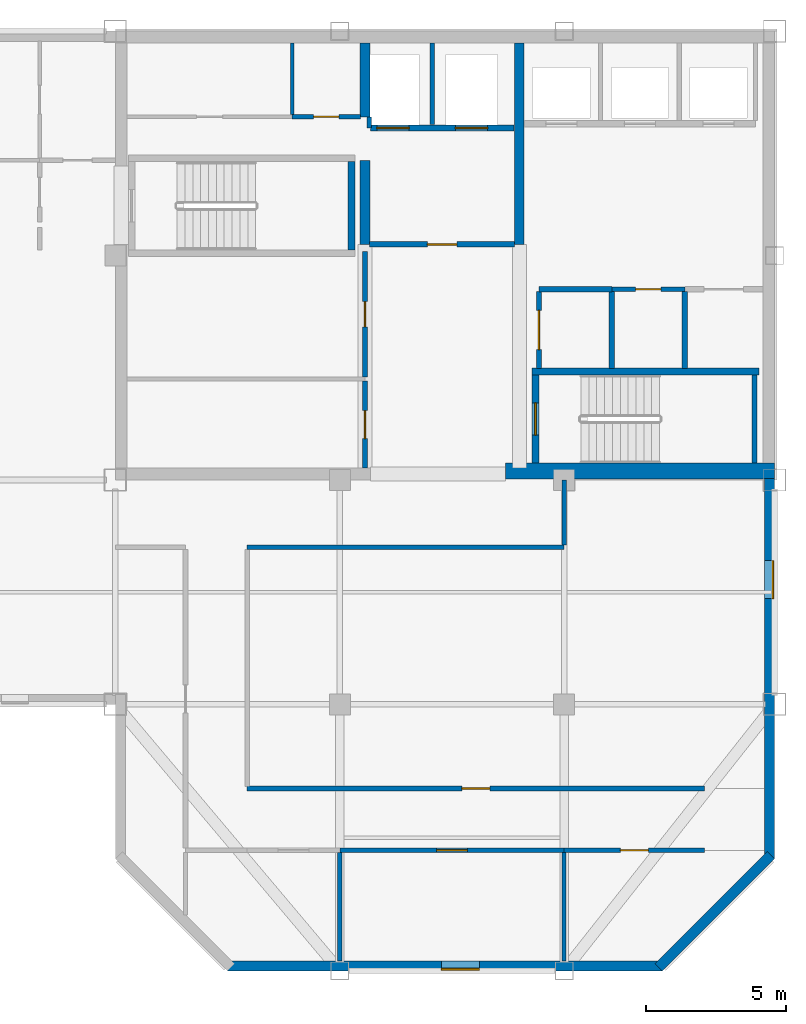
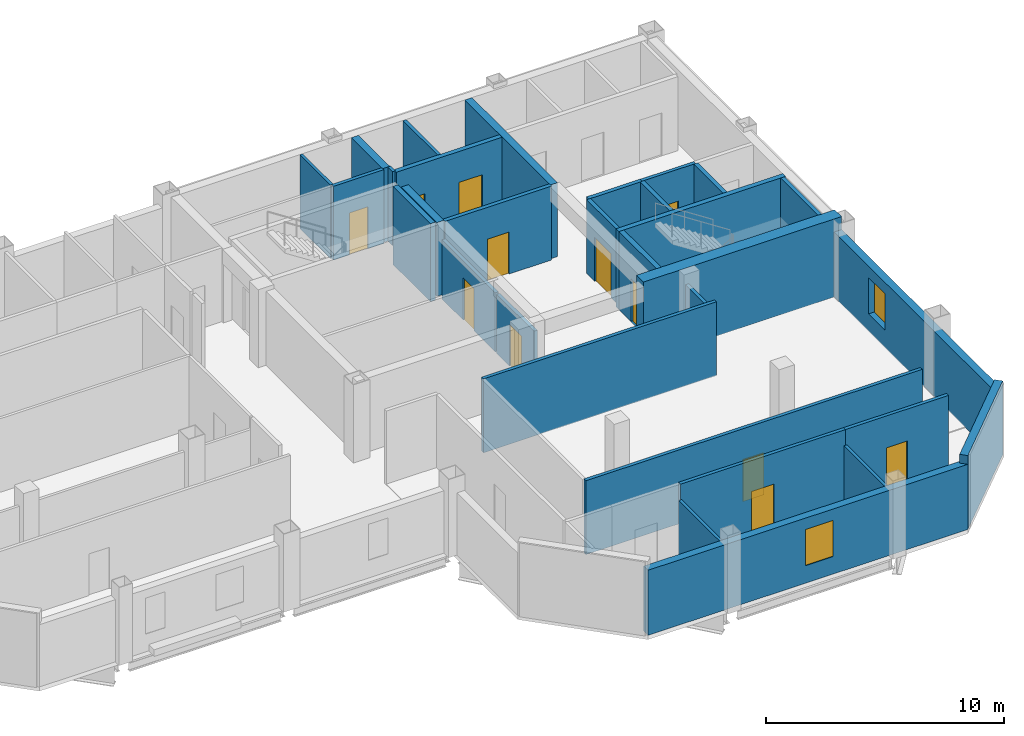
# One storey, part 3 of 7: 31 walls, 12 doors, 2 windows, 14 openings.
"""IFC4 building model written with IfcOpenShell, lengths in metres."""

from ifc_helpers import new_model, si_unit, direction, frame, frame_2d, origin, place, context, subcontext, project, spatial, rectangle, extrude, material, layer, layer_set, type_object, element, fill, save


model = new_model("IFC4")

# Units and contexts
model_context = context("Model", 3, precision=1e-05, world=origin(), true_north=direction((0.0, 1.0)))
body_context = subcontext(model_context, "Body", "Model", "MODEL_VIEW")
ifc_project = project(units=[si_unit("LENGTHUNIT", "METRE"), si_unit("AREAUNIT", "SQUARE_METRE"), si_unit("VOLUMEUNIT", "CUBIC_METRE"), si_unit("PLANEANGLEUNIT", "RADIAN"), si_unit("MASSUNIT", "GRAM", prefix="KILO")], contexts=[model_context])

# Site, building, storey
site_placement = place(None, origin())
site = spatial("IfcSite", under=ifc_project, at=site_placement, CompositionType="ELEMENT")
building_placement = place(site_placement, origin())
building = spatial("IfcBuilding", under=site, at=building_placement, Name="Qianrong Seaharbour Tower", CompositionType="ELEMENT")
storey_placement = place(building_placement, frame((0.0, 0.0, 307.199951171875)))
storey = spatial("IfcBuildingStorey", under=building, at=storey_placement, Name="L74", CompositionType="ELEMENT", Elevation=307.199951171875)

# Walls
ifc_material_1 = material(Name="Concrete C70/85", Category="concrete")
ifc_layer_1 = layer(ifc_material_1, 0.580078125)
ifc_layer_set_1 = layer_set([ifc_layer_1], Name="Concrete C70/85")
wall_type_1 = type_object("IfcWallType", Name="WALL-CORE-580", PredefinedType="SHEAR", material=ifc_layer_set_1)
wall_1_placement = place(storey_placement, frame((54.39990234375, 36.320068359375, 0.0), z_axis=(0.0, 0.0, 1.0), x_axis=(1.0, 0.0, 0.0)))
element("IfcWall", 1, at=wall_1_placement, inside=storey, type_object=wall_type_1, Name="L74 South Core Shear Wall S3", PredefinedType="SHEAR", context=body_context, shape_type="SweptSolid", body=[
    extrude(rectangle(XDim=9.60009765625, YDim=0.580078125, at=frame_2d((4.800048828125, 0.0))), origin(), (0.0, 0.0, 1.0), 4.0),
])
ifc_material_2 = material(Name="Concrete C50/60", Category="concrete")
ifc_layer_2 = layer(ifc_material_2, 0.35009765625)
ifc_layer_set_2 = layer_set([ifc_layer_2], Name="Concrete C50/60")
wall_type_2 = type_object("IfcWallType", Name="WALL-CORE-INT-350", PredefinedType="SHEAR", material=ifc_layer_set_2)
wall_2_placement = place(storey_placement, frame((49.39990234375, 44.39990234375, 0.0), z_axis=(0.0, 0.0, 1.0), x_axis=(0.0, 1.0, 0.0)))
element("IfcWall", 2, at=wall_2_placement, inside=storey, type_object=wall_type_2, Name="L74 Internal Core Shear Wall IW1N1", PredefinedType="SHEAR", context=body_context, shape_type="SweptSolid", body=[
    extrude(rectangle(XDim=3.0, YDim=0.35009765625, at=frame_2d((1.5, 0.0))), origin(), (0.0, 0.0, 1.0), 3.78515625),
])
wall_3_placement = place(storey_placement, frame((49.39990234375, 48.949951171875, 0.0), z_axis=(0.0, 0.0, 1.0), x_axis=(0.0, 1.0, 0.0)))
element("IfcWall", 3, at=wall_3_placement, inside=storey, type_object=wall_type_2, Name="L74 Internal Core Shear Wall IW1N2", PredefinedType="SHEAR", context=body_context, shape_type="SweptSolid", body=[
    extrude(rectangle(XDim=2.630126953125, YDim=0.35009765625, at=frame_2d((1.31494140625, 0.0))), origin(), (0.0, 0.0, 1.0), 3.78515625),
])
wall_4_placement = place(storey_placement, frame((54.89990234375, 44.39990234375, 0.0), z_axis=(0.0, 0.0, 1.0), x_axis=(0.0, 1.0, 0.0)))
element("IfcWall", 4, at=wall_4_placement, inside=storey, type_object=wall_type_2, Name="L74 Internal Core Shear Wall IW2N", PredefinedType="SHEAR", context=body_context, shape_type="SweptSolid", body=[
    extrude(rectangle(XDim=7.18017578125, YDim=0.35009765625, at=frame_2d((3.590087890625, 0.0))), origin(), (0.0, 0.0, 1.0), 3.78515625),
])

# Wall, opening, door
ifc_material_3 = material(Name="Fire-rated acoustic gypsum board partition")
ifc_layer_3 = layer(ifc_material_3, 0.1650390625)
ifc_layer_set_3 = layer_set([ifc_layer_3], Name="Fire-rated acoustic gypsum board partition")
wall_type_3 = type_object("IfcWallType", Name="WALL-CORR-PART-165", PredefinedType="PARTITIONING", material=ifc_layer_set_3)
wall_5_placement = place(storey_placement, frame((46.800048828125, 48.949951171875, 0.0), z_axis=(0.0, 0.0, 1.0), x_axis=(1.0, 0.0, 0.0)))
wall_5 = element("IfcWall", 5, at=wall_5_placement, inside=storey, type_object=wall_type_3, Name="L74 Interior Partition Wall 008", PredefinedType="PARTITIONING", context=body_context, shape_type="SweptSolid", body=[
    extrude(rectangle(XDim=2.432861328125, YDim=0.1650390625, at=frame_2d((1.21630859375, 0.0))), origin(), (0.0, 0.0, 1.0), 3.78515625),
])
opening_1_placement = place(wall_5_placement, frame((0.7666015625, 0.0, 0.0)))
opening_1 = element("IfcOpeningElement", 6, at=opening_1_placement, cuts=wall_5, Name="Opening DS-01", PredefinedType="OPENING", context=body_context, shape_type="SweptSolid", body=[
    extrude(rectangle(XDim=0.89990234375, YDim=2.14990234375, at=frame_2d((0.449951171875, 1.074951171875))), frame((0.0, 0.092529296875, 0.0), z_axis=(0.0, -1.0, 0.0), x_axis=(1.0, 0.0, 0.0)), (0.0, 0.0, 1.0), 0.18505859375),
])
ifc_material_4 = material(Name="Acoustic timber and galvanized steel fire door assembly", Category="steel")
door_type_1 = type_object("IfcDoorType", Name="DOOR-STORE-900x2150", OperationType="NOTDEFINED", PredefinedType="DOOR", material=ifc_material_4)
door_1_placement = place(opening_1_placement, origin())
door_1 = element("IfcDoor", 7, at=door_1_placement, inside=storey, type_object=door_type_1, Name="L74 Janitor Store Room Door", OperationType="SINGLE_SWING_LEFT", OverallHeight=2.14990234375, OverallWidth=0.89990234375, PredefinedType="DOOR", context=body_context, shape_type="SweptSolid", body=[
    extrude(rectangle(XDim=0.89990234375, YDim=2.14990234375, at=frame_2d((0.449951171875, 1.074951171875))), frame((0.0, 0.02490234375, 0.0), z_axis=(0.0, -1.0, 0.0), x_axis=(1.0, 0.0, 0.0)), (0.0, 0.0, 1.0), 0.050048828125),
])
fill(opening_1, door_1)

wall_6_placement = place(storey_placement, frame((49.39990234375, 36.419921875, 0.0), z_axis=(0.0, 0.0, 1.0), x_axis=(0.0, 1.0, 0.0)))
wall_6 = element("IfcWall", 8, at=wall_6_placement, inside=storey, type_object=wall_type_3, Name="L74 Interior Partition Wall 010", PredefinedType="PARTITIONING", context=body_context, shape_type="SweptSolid", body=[
    extrude(rectangle(XDim=3.115478515625, YDim=0.1650390625, at=frame_2d((1.5576171875, 0.0))), origin(), (0.0, 0.0, 1.0), 3.027099609375),
])
opening_2_placement = place(wall_6_placement, frame((1.0576171875, 0.0, 0.0)))
opening_2 = element("IfcOpeningElement", 9, at=opening_2_placement, cuts=wall_6, Name="Opening DO-01", PredefinedType="OPENING", context=body_context, shape_type="SweptSolid", body=[
    extrude(rectangle(XDim=1.0, YDim=2.14990234375, at=frame_2d((0.5, 1.074951171875))), frame((0.0, 0.092529296875, 0.0), z_axis=(0.0, -1.0, 0.0), x_axis=(1.0, 0.0, 0.0)), (0.0, 0.0, 1.0), 0.18505859375),
])
door_type_2 = type_object("IfcDoorType", Name="DOOR-OFFICE-1000x2150", OperationType="NOTDEFINED", PredefinedType="DOOR", material=ifc_material_4)
door_2_placement = place(opening_2_placement, origin())
door_2 = element("IfcDoor", 10, at=door_2_placement, inside=storey, type_object=door_type_2, Name="L74 Wellness Room Door", OperationType="SINGLE_SWING_RIGHT", OverallHeight=2.14990234375, OverallWidth=1.0, PredefinedType="DOOR", context=body_context, shape_type="SweptSolid", body=[
    extrude(rectangle(XDim=1.0, YDim=2.14990234375, at=frame_2d((0.5, 1.074951171875))), frame((0.0, 0.02490234375, 0.0), z_axis=(0.0, -1.0, 0.0), x_axis=(1.0, 0.0, 0.0)), (0.0, 0.0, 1.0), 0.050048828125),
])
fill(opening_2, door_2)

wall_7_placement = place(storey_placement, frame((49.39990234375, 39.66455078125, 0.0), z_axis=(0.0, 0.0, 1.0), x_axis=(0.0, 1.0, 0.0)))
wall_7 = element("IfcWall", 11, at=wall_7_placement, inside=storey, type_object=wall_type_3, Name="L74 Interior Partition Wall 011", PredefinedType="PARTITIONING", context=body_context, shape_type="SweptSolid", body=[
    extrude(rectangle(XDim=4.4853515625, YDim=0.1650390625, at=frame_2d((2.24267578125, 0.0))), origin(), (0.0, 0.0, 1.0), 3.027099609375),
])
opening_3_placement = place(wall_7_placement, frame((1.792724609375, 0.0, 0.0)))
opening_3 = element("IfcOpeningElement", 12, at=opening_3_placement, cuts=wall_7, Name="Opening DS-01", PredefinedType="OPENING", context=body_context, shape_type="SweptSolid", body=[
    extrude(rectangle(XDim=0.89990234375, YDim=2.14990234375, at=frame_2d((0.449951171875, 1.074951171875))), frame((0.0, 0.092529296875, 0.0), z_axis=(0.0, -1.0, 0.0), x_axis=(1.0, 0.0, 0.0)), (0.0, 0.0, 1.0), 0.18505859375),
])
door_3_placement = place(opening_3_placement, origin())
door_3 = element("IfcDoor", 13, at=door_3_placement, inside=storey, type_object=door_type_1, Name="L74 Equipment Store Room Door", OperationType="SINGLE_SWING_LEFT", OverallHeight=2.14990234375, OverallWidth=0.89990234375, PredefinedType="DOOR", context=body_context, shape_type="SweptSolid", body=[
    extrude(rectangle(XDim=0.89990234375, YDim=2.14990234375, at=frame_2d((0.449951171875, 1.074951171875))), frame((0.0, 0.02490234375, 0.0), z_axis=(0.0, -1.0, 0.0), x_axis=(1.0, 0.0, 0.0)), (0.0, 0.0, 1.0), 0.050048828125),
])
fill(opening_3, door_3)

wall_8_placement = place(storey_placement, frame((60.800048828125, 42.800048828125, 0.0), z_axis=(0.0, 0.0, 1.0), x_axis=(-1.0, 0.0, 0.0)))
wall_8 = element("IfcWall", 14, at=wall_8_placement, inside=storey, type_object=wall_type_3, Name="L74 Interior Partition Wall 015", PredefinedType="PARTITIONING", context=body_context, shape_type="SweptSolid", body=[
    extrude(rectangle(XDim=2.60009765625, YDim=0.1650390625, at=frame_2d((1.300048828125, 0.0))), origin(), (0.0, 0.0, 1.0), 3.78515625),
])
opening_4_placement = place(wall_8_placement, frame((0.85009765625, 0.0, 0.0)))
opening_4 = element("IfcOpeningElement", 15, at=opening_4_placement, cuts=wall_8, Name="Opening DS-01", PredefinedType="OPENING", context=body_context, shape_type="SweptSolid", body=[
    extrude(rectangle(XDim=0.89990234375, YDim=2.14990234375, at=frame_2d((0.449951171875, 1.074951171875))), frame((0.0, 0.092529296875, 0.0), z_axis=(0.0, -1.0, 0.0), x_axis=(1.0, 0.0, 0.0)), (0.0, 0.0, 1.0), 0.18505859375),
])
door_4_placement = place(opening_4_placement, origin())
door_4 = element("IfcDoor", 16, at=door_4_placement, inside=storey, type_object=door_type_1, Name="L74 Supply Store Room Door", OperationType="SINGLE_SWING_RIGHT", OverallHeight=2.14990234375, OverallWidth=0.89990234375, PredefinedType="DOOR", context=body_context, shape_type="SweptSolid", body=[
    extrude(rectangle(XDim=0.89990234375, YDim=2.14990234375, at=frame_2d((0.449951171875, 1.074951171875))), frame((0.0, 0.02490234375, 0.0), z_axis=(0.0, -1.0, 0.0), x_axis=(1.0, 0.0, 0.0)), (0.0, 0.0, 1.0), 0.050048828125),
])
fill(opening_4, door_4)

# Walls
wall_9_placement = place(storey_placement, frame((56.5, 36.0, 0.0), z_axis=(0.0, 0.0, 1.0), x_axis=(0.0, -1.0, 0.0)))
element("IfcWall", 17, at=wall_9_placement, inside=storey, type_object=wall_type_3, Name="L74 Interior Partition Wall 028", PredefinedType="PARTITIONING", context=body_context, shape_type="SweptSolid", body=[
    extrude(rectangle(XDim=2.325439453125, YDim=0.1650390625, at=frame_2d((1.16259765625, 0.0))), origin(), (0.0, 0.0, 1.0), 3.177001953125),
])
wall_10_placement = place(storey_placement, frame((56.5, 33.60009765625, 0.0), z_axis=(0.0, 0.0, 1.0), x_axis=(-1.0, 0.0, 0.0)))
element("IfcWall", 18, at=wall_10_placement, inside=storey, type_object=wall_type_3, Name="L74 Interior Partition Wall 029", PredefinedType="PARTITIONING", context=body_context, shape_type="SweptSolid", body=[
    extrude(rectangle(XDim=11.300048828125, YDim=0.1650390625, at=frame_2d((5.64990234375, 0.0))), origin(), (0.0, 0.0, 1.0), 3.78515625),
])

# Wall, opening, door
wall_11_placement = place(storey_placement, frame((45.199951171875, 25.0, 0.0), z_axis=(0.0, 0.0, 1.0), x_axis=(1.0, 0.0, 0.0)))
wall_11 = element("IfcWall", 19, at=wall_11_placement, inside=storey, type_object=wall_type_3, Name="L74 Interior Partition Wall 034", PredefinedType="PARTITIONING", context=body_context, shape_type="SweptSolid", body=[
    extrude(rectangle(XDim=16.300048828125, YDim=0.1650390625, at=frame_2d((8.14990234375, 0.0))), origin(), (0.0, 0.0, 1.0), 3.78515625),
])
opening_5_placement = place(wall_11_placement, frame((7.64990234375, 0.0, 0.0)))
opening_5 = element("IfcOpeningElement", 20, at=opening_5_placement, cuts=wall_11, Name="Opening DO-01", PredefinedType="OPENING", context=body_context, shape_type="SweptSolid", body=[
    extrude(rectangle(XDim=1.0, YDim=2.14990234375, at=frame_2d((0.5, 1.074951171875))), frame((0.0, 0.092529296875, 0.0), z_axis=(0.0, -1.0, 0.0), x_axis=(1.0, 0.0, 0.0)), (0.0, 0.0, 1.0), 0.18505859375),
])
door_5_placement = place(opening_5_placement, origin())
door_5 = element("IfcDoor", 21, at=door_5_placement, inside=storey, type_object=door_type_2, Name="L74 South Wing Open-Plan Office Door", OperationType="SINGLE_SWING_LEFT", OverallHeight=2.14990234375, OverallWidth=1.0, PredefinedType="DOOR", context=body_context, shape_type="SweptSolid", body=[
    extrude(rectangle(XDim=1.0, YDim=2.14990234375, at=frame_2d((0.5, 1.074951171875))), frame((0.0, 0.02490234375, 0.0), z_axis=(0.0, -1.0, 0.0), x_axis=(1.0, 0.0, 0.0)), (0.0, 0.0, 1.0), 0.050048828125),
])
fill(opening_5, door_5)

wall_12_placement = place(storey_placement, frame((56.5, 22.800048828125, 0.0), z_axis=(0.0, 0.0, 1.0), x_axis=(-1.0, 0.0, 0.0)))
wall_12 = element("IfcWall", 22, at=wall_12_placement, inside=storey, type_object=wall_type_3, Name="L74 Interior Partition Wall 036", PredefinedType="PARTITIONING", context=body_context, shape_type="SweptSolid", body=[
    extrude(rectangle(XDim=8.0, YDim=0.1650390625, at=frame_2d((4.0, 0.0))), origin(), (0.0, 0.0, 1.0), 3.78515625),
])
opening_6_placement = place(wall_12_placement, frame((3.449951171875, 0.0, 0.0)))
opening_6 = element("IfcOpeningElement", 23, at=opening_6_placement, cuts=wall_12, Name="Opening DM-01", PredefinedType="OPENING", context=body_context, shape_type="SweptSolid", body=[
    extrude(rectangle(XDim=1.10009765625, YDim=2.199951171875, at=frame_2d((0.550048828125, 1.10009765625))), frame((0.0, 0.092529296875, 0.0), z_axis=(0.0, -1.0, 0.0), x_axis=(1.0, 0.0, 0.0)), (0.0, 0.0, 1.0), 0.18505859375),
])
door_type_3 = type_object("IfcDoorType", Name="DOOR-MEET-1100x2200", OperationType="NOTDEFINED", PredefinedType="DOOR", material=ifc_material_4)
door_6_placement = place(opening_6_placement, origin())
door_6 = element("IfcDoor", 24, at=door_6_placement, inside=storey, type_object=door_type_3, Name="L74 Meeting Room 2 Door", OperationType="SINGLE_SWING_LEFT", OverallHeight=2.199951171875, OverallWidth=1.10009765625, PredefinedType="DOOR", context=body_context, shape_type="SweptSolid", body=[
    extrude(rectangle(XDim=1.10009765625, YDim=2.199951171875, at=frame_2d((0.550048828125, 1.10009765625))), frame((0.0, 0.02490234375, 0.0), z_axis=(0.0, -1.0, 0.0), x_axis=(1.0, 0.0, 0.0)), (0.0, 0.0, 1.0), 0.050048828125),
])
fill(opening_6, door_6)

wall_13_placement = place(storey_placement, frame((61.5, 22.800048828125, 0.0), z_axis=(0.0, 0.0, 1.0), x_axis=(-1.0, 0.0, 0.0)))
wall_13 = element("IfcWall", 25, at=wall_13_placement, inside=storey, type_object=wall_type_3, Name="L74 Interior Partition Wall 037", PredefinedType="PARTITIONING", context=body_context, shape_type="SweptSolid", body=[
    extrude(rectangle(XDim=5.0, YDim=0.1650390625, at=frame_2d((2.5, 0.0))), origin(), (0.0, 0.0, 1.0), 3.78515625),
])
opening_7_placement = place(wall_13_placement, frame((2.0, 0.0, 0.0)))
opening_7 = element("IfcOpeningElement", 26, at=opening_7_placement, cuts=wall_13, Name="Opening DO-01", PredefinedType="OPENING", context=body_context, shape_type="SweptSolid", body=[
    extrude(rectangle(XDim=1.0, YDim=2.14990234375, at=frame_2d((0.5, 1.074951171875))), frame((0.0, 0.092529296875, 0.0), z_axis=(0.0, -1.0, 0.0), x_axis=(1.0, 0.0, 0.0)), (0.0, 0.0, 1.0), 0.18505859375),
])
door_7_placement = place(opening_7_placement, origin())
door_7 = element("IfcDoor", 27, at=door_7_placement, inside=storey, type_object=door_type_2, Name="L74 Standards Library 3 Door", OperationType="SINGLE_SWING_RIGHT", OverallHeight=2.14990234375, OverallWidth=1.0, PredefinedType="DOOR", context=body_context, shape_type="SweptSolid", body=[
    extrude(rectangle(XDim=1.0, YDim=2.14990234375, at=frame_2d((0.5, 1.074951171875))), frame((0.0, 0.02490234375, 0.0), z_axis=(0.0, -1.0, 0.0), x_axis=(1.0, 0.0, 0.0)), (0.0, 0.0, 1.0), 0.050048828125),
])
fill(opening_7, door_7)

# Wall, opening, window
ifc_material_5 = material(Name="Unitised red brick on Precast concrete C45/55", Category="masonry")
ifc_layer_4 = layer(ifc_material_5, 0.360107421875)
ifc_layer_set_4 = layer_set([ifc_layer_4], Name="Unitised red brick on Precast concrete C45/55")
wall_type_4 = type_object("IfcWallType", Name="WALL-EXT-BRICK-RED-360", PredefinedType="SOLIDWALL", material=ifc_layer_set_4)
wall_14_placement = place(storey_placement, frame((63.820068359375, 36.050048828125, 0.0), z_axis=(0.0, 0.0, 1.0), x_axis=(0.0, -1.0, 0.0)))
wall_14 = element("IfcWall", 28, at=wall_14_placement, inside=storey, type_object=wall_type_4, Name="L74 Exterior Masonry Facade Wall EAST_WING", PredefinedType="SOLIDWALL", context=body_context, shape_type="SweptSolid", body=[
    extrude(rectangle(XDim=13.550048828125, YDim=0.360107421875, at=frame_2d((6.77490234375, 0.0))), origin(), (0.0, 0.0, 1.0), 3.3349609375),
])
opening_8_placement = place(wall_14_placement, frame((2.925048828125, 0.0, 0.89990234375)))
opening_8 = element("IfcOpeningElement", 29, at=opening_8_placement, cuts=wall_14, Name="Opening WN-02", PredefinedType="OPENING", context=body_context, shape_type="SweptSolid", body=[
    extrude(rectangle(XDim=1.35009765625, YDim=1.85009765625, at=frame_2d((0.675048828125, 0.925048828125))), frame((0.0, 0.18994140625, 0.0), z_axis=(0.0, -1.0, 0.0), x_axis=(1.0, 0.0, 0.0)), (0.0, 0.0, 1.0), 0.380126953125),
])
ifc_material_6 = material(Name="Insulated low-e double glazing in thermally broken aluminium 6063-T6 frame", Category="aluminium")
window_type = type_object("IfcWindowType", Name="WIN-PUNCH-1350x1850", PartitioningType="DOUBLE_PANEL_VERTICAL", PredefinedType="WINDOW", material=ifc_material_6)
window_1_placement = place(opening_8_placement, origin())
window_1 = element("IfcWindow", 30, at=window_1_placement, inside=storey, type_object=window_type, Name="L74 Deep-Set Punched Window 06.01", OverallHeight=1.85009765625, OverallWidth=1.35009765625, PartitioningType="DOUBLE_PANEL_VERTICAL", PredefinedType="WINDOW", context=body_context, shape_type="SweptSolid", body=[
    extrude(rectangle(XDim=1.35009765625, YDim=1.85009765625, at=frame_2d((0.675048828125, 0.925048828125))), frame((0.0, 0.150146484375, 0.0), z_axis=(0.0, -1.0, 0.0), x_axis=(1.0, 0.0, 0.0)), (0.0, 0.0, 1.0), 0.06005859375),
])
fill(opening_8, window_1)

# Wall
wall_15_placement = place(storey_placement, frame((63.872802734375, 22.627197265625, 0.0), z_axis=(0.0, 0.0, 1.0), x_axis=(-0.707106781187, -0.707106781187, 0.0)))
element("IfcWall", 31, at=wall_15_placement, inside=storey, type_object=wall_type_4, Name="L74 Exterior Masonry Facade Wall E07", PredefinedType="SOLIDWALL", context=body_context, shape_type="SweptSolid", body=[
    extrude(rectangle(XDim=5.65673828125, YDim=0.360107421875, at=frame_2d((2.828369140625, 0.0))), origin(), (0.0, 0.0, 1.0), 3.78515625),
])

# Wall, opening, window
wall_16_placement = place(storey_placement, frame((60.0, 18.679931640625, 0.0), z_axis=(0.0, 0.0, 1.0), x_axis=(-1.0, 0.0, 0.0)))
wall_16 = element("IfcWall", 32, at=wall_16_placement, inside=storey, type_object=wall_type_4, Name="L74 Exterior Masonry Facade Wall SOUTH_TIP", PredefinedType="SOLIDWALL", context=body_context, shape_type="SweptSolid", body=[
    extrude(rectangle(XDim=15.5, YDim=0.360107421875, at=frame_2d((7.75, 0.0))), origin(), (0.0, 0.0, 1.0), 3.3349609375),
])
opening_9_placement = place(wall_16_placement, frame((6.52490234375, 0.0, 0.89990234375)))
opening_9 = element("IfcOpeningElement", 33, at=opening_9_placement, cuts=wall_16, Name="Opening WN-02", PredefinedType="OPENING", context=body_context, shape_type="SweptSolid", body=[
    extrude(rectangle(XDim=1.35009765625, YDim=1.85009765625, at=frame_2d((0.675048828125, 0.925048828125))), frame((0.0, 0.18994140625, 0.0), z_axis=(0.0, -1.0, 0.0), x_axis=(1.0, 0.0, 0.0)), (0.0, 0.0, 1.0), 0.380126953125),
])
window_2_placement = place(opening_9_placement, origin())
window_2 = element("IfcWindow", 34, at=window_2_placement, inside=storey, type_object=window_type, Name="L74 Deep-Set Punched Window 08.02", OverallHeight=1.85009765625, OverallWidth=1.35009765625, PartitioningType="DOUBLE_PANEL_VERTICAL", PredefinedType="WINDOW", context=body_context, shape_type="SweptSolid", body=[
    extrude(rectangle(XDim=1.35009765625, YDim=1.85009765625, at=frame_2d((0.675048828125, 0.925048828125))), frame((0.0, 0.150146484375, 0.0), z_axis=(0.0, -1.0, 0.0), x_axis=(1.0, 0.0, 0.0)), (0.0, 0.0, 1.0), 0.06005859375),
])
fill(opening_9, window_2)

# Wall, opening, door
ifc_material_7 = material(Name="Double fire-rated gypsum board acoustic partition")
ifc_layer_5 = layer(ifc_material_7, 0.18994140625)
ifc_layer_set_5 = layer_set([ifc_layer_5], Name="Double fire-rated gypsum board acoustic partition")
wall_type_5 = type_object("IfcWallType", Name="WALL-FIRE-PART-190", PredefinedType="PARTITIONING", material=ifc_layer_set_5)
wall_17_placement = place(storey_placement, frame((54.73291015625, 44.39990234375, 0.0), z_axis=(0.0, 0.0, 1.0), x_axis=(-1.0, 0.0, 0.0)))
wall_17 = element("IfcWall", 35, at=wall_17_placement, inside=storey, type_object=wall_type_5, Name="L74 Interior Partition Wall 009", PredefinedType="PARTITIONING", context=body_context, shape_type="SweptSolid", body=[
    extrude(rectangle(XDim=5.166015625, YDim=0.18994140625, at=frame_2d((2.5830078125, 0.0))), origin(), (0.0, 0.0, 1.0), 3.78515625),
])
opening_10_placement = place(wall_17_placement, frame((2.05810546875, 0.0, 0.0)))
opening_10 = element("IfcOpeningElement", 36, at=opening_10_placement, cuts=wall_17, Name="Opening DC-01", PredefinedType="OPENING", context=body_context, shape_type="SweptSolid", body=[
    extrude(rectangle(XDim=1.050048828125, YDim=2.14990234375, at=frame_2d((0.52490234375, 1.074951171875))), frame((0.0, 0.10498046875, 0.0), z_axis=(0.0, -1.0, 0.0), x_axis=(1.0, 0.0, 0.0)), (0.0, 0.0, 1.0), 0.2099609375),
])
door_type_4 = type_object("IfcDoorType", Name="DOOR-CORR-FD60-1050x2150", OperationType="NOTDEFINED", PredefinedType="DOOR", material=ifc_material_4)
door_8_placement = place(opening_10_placement, origin())
door_8 = element("IfcDoor", 37, at=door_8_placement, inside=storey, type_object=door_type_4, Name="L74 Firefighting Lift Lobby Door", OperationType="SINGLE_SWING_LEFT", OverallHeight=2.14990234375, OverallWidth=1.050048828125, PredefinedType="DOOR", context=body_context, shape_type="SweptSolid", body=[
    extrude(rectangle(XDim=1.050048828125, YDim=2.14990234375, at=frame_2d((0.52490234375, 1.074951171875))), frame((0.0, 0.02490234375, 0.0), z_axis=(0.0, -1.0, 0.0), x_axis=(1.0, 0.0, 0.0)), (0.0, 0.0, 1.0), 0.050048828125),
])
fill(opening_10, door_8)

wall_18_placement = place(storey_placement, frame((55.60009765625, 42.712890625, 0.0), z_axis=(0.0, 0.0, 1.0), x_axis=(0.0, -1.0, 0.0)))
wall_18 = element("IfcWall", 38, at=wall_18_placement, inside=storey, type_object=wall_type_5, Name="L74 Interior Partition Wall 012", PredefinedType="PARTITIONING", context=body_context, shape_type="SweptSolid", body=[
    extrude(rectangle(XDim=2.73095703125, YDim=0.18994140625, at=frame_2d((1.365478515625, 0.0))), origin(), (0.0, 0.0, 1.0), 3.78515625),
])
opening_11_placement = place(wall_18_placement, frame((0.66552734375, 0.0, 0.0)))
opening_11 = element("IfcOpeningElement", 39, at=opening_11_placement, cuts=wall_18, Name="Opening DP-01", PredefinedType="OPENING", context=body_context, shape_type="SweptSolid", body=[
    extrude(rectangle(XDim=1.39990234375, YDim=2.25, at=frame_2d((0.699951171875, 1.125))), frame((0.0, 0.10498046875, 0.0), z_axis=(0.0, -1.0, 0.0), x_axis=(1.0, 0.0, 0.0)), (0.0, 0.0, 1.0), 0.2099609375),
])
door_type_5 = type_object("IfcDoorType", Name="DOOR-PLANT-PAIR-1400x2250", OperationType="DOUBLE_DOOR_SINGLE_SWING", PredefinedType="DOOR", material=ifc_material_4)
door_9_placement = place(opening_11_placement, origin())
door_9 = element("IfcDoor", 40, at=door_9_placement, inside=storey, type_object=door_type_5, Name="L74 Core Telecom Room Door", OperationType="DOUBLE_DOOR_SINGLE_SWING", OverallHeight=2.25, OverallWidth=1.39990234375, PredefinedType="DOOR", context=body_context, shape_type="SweptSolid", body=[
    extrude(rectangle(XDim=1.39990234375, YDim=2.25, at=frame_2d((0.699951171875, 1.125))), frame((0.0, 0.02490234375, 0.0), z_axis=(0.0, -1.0, 0.0), x_axis=(1.0, 0.0, 0.0)), (0.0, 0.0, 1.0), 0.050048828125),
])
fill(opening_11, door_9)

# Walls
wall_19_placement = place(storey_placement, frame((58.199951171875, 42.800048828125, 0.0), z_axis=(0.0, 0.0, 1.0), x_axis=(-1.0, 0.0, 0.0)))
element("IfcWall", 41, at=wall_19_placement, inside=storey, type_object=wall_type_5, Name="L74 Interior Partition Wall 014", PredefinedType="PARTITIONING", context=body_context, shape_type="SweptSolid", body=[
    extrude(rectangle(XDim=2.599853515625, YDim=0.18994140625, at=frame_2d((1.2998046875, 0.0))), origin(), (0.0, 0.0, 1.0), 3.78515625),
])
for number, where, z_axis, x_axis, name in (
    (42, (58.199951171875, 42.712890625, 0.0), (0.0, 0.0, 1.0), (0.0, -1.0, 0.0), "L74 Interior Partition Wall 018"),
    (43, (60.800048828125, 42.712890625, 0.0), (0.0, 0.0, 1.0), (0.0, -1.0, 0.0), "L74 Interior Partition Wall 019"),
):
    element("IfcWall", number, at=place(storey_placement, frame(where, z_axis=z_axis, x_axis=x_axis)), inside=storey, type_object=wall_type_5, Name=name, PredefinedType="PARTITIONING", context=body_context, shape_type="SweptSolid", body=[
        extrude(rectangle(XDim=2.73095703125, YDim=0.18994140625, at=frame_2d((1.365478515625, 0.0))), origin(), (0.0, 0.0, 1.0), 3.78515625),
    ])
ifc_material_8 = material(Name="Acoustic gypsum board stud partition")
ifc_layer_6 = layer(ifc_material_8, 0.14501953125)
ifc_layer_set_6 = layer_set([ifc_layer_6], Name="Acoustic gypsum board stud partition")
wall_type_6 = type_object("IfcWallType", Name="WALL-OFFICE-PART-145", PredefinedType="PARTITIONING", material=ifc_layer_set_6)
for number, where, z_axis, x_axis, name in (
    (44, (48.5, 22.7255859375, 0.0), (0.0, 0.0, 1.0), (0.0, -1.0, 0.0), "L74 Interior Partition Wall 045"),
    (45, (56.5, 22.7255859375, 0.0), (0.0, 0.0, 1.0), (0.0, -1.0, 0.0), "L74 Interior Partition Wall 046"),
):
    element("IfcWall", number, at=place(storey_placement, frame(where, z_axis=z_axis, x_axis=x_axis)), inside=storey, type_object=wall_type_6, Name=name, PredefinedType="PARTITIONING", context=body_context, shape_type="SweptSolid", body=[
        extrude(rectangle(XDim=3.87353515625, YDim=0.14501953125, at=frame_2d((1.936767578125, 0.0))), origin(), (0.0, 0.0, 1.0), 2.97705078125),
    ])
ifc_material_9 = material(Name="Fire-rated gypsum board on steel studs", Category="steel")
ifc_layer_7 = layer(ifc_material_9, 0.14990234375)
ifc_layer_set_7 = layer_set([ifc_layer_7], Name="Fire-rated gypsum board on steel studs")
wall_type_7 = type_object("IfcWallType", Name="WALL-SHAFT-DIV-150", PredefinedType="PARTITIONING", material=ifc_layer_set_7)
wall_20_placement = place(storey_placement, frame((51.800048828125, 48.669921875, 0.0), z_axis=(0.0, 0.0, 1.0), x_axis=(0.0, 1.0, 0.0)))
element("IfcWall", 46, at=wall_20_placement, inside=storey, type_object=wall_type_7, Name="L74 Firefighting Lift Shaft Divider Wall", PredefinedType="PARTITIONING", context=body_context, shape_type="SweptSolid", body=[
    extrude(rectangle(XDim=2.91015625, YDim=0.14990234375, at=frame_2d((1.455078125, 0.0))), origin(), (0.0, 0.0, 1.0), 3.78515625),
])
wall_21_placement = place(storey_placement, frame((49.550048828125, 48.550048828125, 0.0), z_axis=(0.0, 0.0, 1.0), x_axis=(0.0, 1.0, 0.0)))
element("IfcWall", 47, at=wall_21_placement, inside=storey, type_object=wall_type_7, Name="L74 Firefighting Lift Shaft West Return Wall", PredefinedType="PARTITIONING", context=body_context, shape_type="SweptSolid", body=[
    extrude(rectangle(XDim=0.39990234375, YDim=0.14990234375, at=frame_2d((0.199951171875, 0.0))), origin(), (0.0, 0.0, 1.0), 3.78515625),
])

# Wall, openings, doors
ifc_layer_8 = layer(ifc_material_9, 0.219970703125)
ifc_layer_set_8 = layer_set([ifc_layer_8], Name="Fire-rated gypsum board on steel studs")
wall_type_8 = type_object("IfcWallType", Name="WALL-SHAFT-GYP220", PredefinedType="PARTITIONING", material=ifc_layer_set_8)
wall_22_placement = place(storey_placement, frame((54.7099609375, 48.550048828125, 0.0), z_axis=(0.0, 0.0, 1.0), x_axis=(-1.0, 0.0, 0.0)))
wall_22 = element("IfcWall", 48, at=wall_22_placement, inside=storey, type_object=wall_type_8, Name="L74 Firefighting Lift Shaft Front Wall", PredefinedType="PARTITIONING", context=body_context, shape_type="SweptSolid", body=[
    extrude(rectangle(XDim=5.119873046875, YDim=0.219970703125, at=frame_2d((2.56005859375, 0.0))), origin(), (0.0, 0.0, 1.0), 3.78515625),
])
opening_12_placement = place(wall_22_placement, frame((3.735107421875, 0.0, 0.0)))
opening_12 = element("IfcOpeningElement", 49, at=opening_12_placement, cuts=wall_22, Name="Opening LD-01", PredefinedType="OPENING", context=body_context, shape_type="SweptSolid", body=[
    extrude(rectangle(XDim=1.14990234375, YDim=2.199951171875, at=frame_2d((0.574951171875, 1.10009765625))), frame((0.0, 0.1201171875, 0.0), z_axis=(0.0, -1.0, 0.0), x_axis=(1.0, 0.0, 0.0)), (0.0, 0.0, 1.0), 0.239990234375),
])
opening_13_placement = place(wall_22_placement, frame((0.93505859375, 0.0, 0.0)))
opening_13 = element("IfcOpeningElement", 50, at=opening_13_placement, cuts=wall_22, Name="Opening LD-01", PredefinedType="OPENING", context=body_context, shape_type="SweptSolid", body=[
    extrude(rectangle(XDim=1.14990234375, YDim=2.199951171875, at=frame_2d((0.574951171875, 1.10009765625))), frame((0.0, 0.1201171875, 0.0), z_axis=(0.0, -1.0, 0.0), x_axis=(1.0, 0.0, 0.0)), (0.0, 0.0, 1.0), 0.239990234375),
])
ifc_material_10 = material(Name="Stainless steel SUS316L bi-parting lift landing door", Category="steel")
door_type_6 = type_object("IfcDoorType", Name="DOOR-LIFT-FF-1150x2200", OperationType="DOUBLE_DOOR_SLIDING", PredefinedType="DOOR", material=ifc_material_10)
door_10_placement = place(opening_12_placement, origin())
door_10 = element("IfcDoor", 51, at=door_10_placement, inside=storey, type_object=door_type_6, Name="L74 FL-1 Firefighting Lift Landing Door", OperationType="DOUBLE_DOOR_SLIDING", OverallHeight=2.199951171875, OverallWidth=1.14990234375, PredefinedType="DOOR", context=body_context, shape_type="SweptSolid", body=[
    extrude(rectangle(XDim=1.14990234375, YDim=2.199951171875, at=frame_2d((0.574951171875, 1.10009765625))), frame((0.0, 0.02490234375, 0.0), z_axis=(0.0, -1.0, 0.0), x_axis=(1.0, 0.0, 0.0)), (0.0, 0.0, 1.0), 0.050048828125),
])
fill(opening_12, door_10)
door_11_placement = place(opening_13_placement, origin())
door_11 = element("IfcDoor", 52, at=door_11_placement, inside=storey, type_object=door_type_6, Name="L74 FL-2 Firefighting Lift Landing Door", OperationType="DOUBLE_DOOR_SLIDING", OverallHeight=2.199951171875, OverallWidth=1.14990234375, PredefinedType="DOOR", context=body_context, shape_type="SweptSolid", body=[
    extrude(rectangle(XDim=1.14990234375, YDim=2.199951171875, at=frame_2d((0.574951171875, 1.10009765625))), frame((0.0, 0.02490234375, 0.0), z_axis=(0.0, -1.0, 0.0), x_axis=(1.0, 0.0, 0.0)), (0.0, 0.0, 1.0), 0.050048828125),
])
fill(opening_13, door_11)

# Walls
ifc_layer_9 = layer(ifc_material_2, 0.239990234375)
ifc_layer_set_9 = layer_set([ifc_layer_9], Name="Concrete C50/60")
wall_type_9 = type_object("IfcWallType", Name="WALL-SHAFT-RC240", PredefinedType="SOLIDWALL", material=ifc_layer_set_9)
wall_23_placement = place(storey_placement, frame((48.919921875, 44.199951171875, 0.0), z_axis=(0.0, 0.0, 1.0), x_axis=(0.0, 1.0, 0.0)))
element("IfcWall", 53, at=wall_23_placement, inside=storey, type_object=wall_type_9, Name="L74 ST-1 Structural Stair Core Wall E", PredefinedType="SOLIDWALL", context=body_context, shape_type="SweptSolid", body=[
    extrude(rectangle(XDim=3.150146484375, YDim=0.239990234375, at=frame_2d((1.5751953125, 0.0))), origin(), (0.0, 0.0, 1.0), 4.0),
])
wall_24_placement = place(storey_placement, frame((55.360107421875, 39.8701171875, 0.0), z_axis=(0.0, 0.0, 1.0), x_axis=(1.0, 0.0, 0.0)))
element("IfcWall", 54, at=wall_24_placement, inside=storey, type_object=wall_type_9, Name="L74 ST-2 Structural Stair Core Wall N", PredefinedType="SOLIDWALL", context=body_context, shape_type="SweptSolid", body=[
    extrude(rectangle(XDim=8.079833984375, YDim=0.239990234375, at=frame_2d((4.0400390625, 0.0))), origin(), (0.0, 0.0, 1.0), 4.0),
])

# Wall, opening, door
wall_25_placement = place(storey_placement, frame((55.47998046875, 39.75, 0.0), z_axis=(0.0, 0.0, 1.0), x_axis=(0.0, -1.0, 0.0)))
wall_25 = element("IfcWall", 55, at=wall_25_placement, inside=storey, type_object=wall_type_9, Name="L74 ST-2 Structural Stair Core Wall W", PredefinedType="SOLIDWALL", context=body_context, shape_type="SweptSolid", body=[
    extrude(rectangle(XDim=3.14990234375, YDim=0.239990234375, at=frame_2d((1.574951171875, 0.0))), origin(), (0.0, 0.0, 1.0), 4.0),
])
opening_14_placement = place(wall_25_placement, frame((1.0, 0.0, 0.0)))
opening_14 = element("IfcOpeningElement", 56, at=opening_14_placement, cuts=wall_25, Name="Opening SD-01", PredefinedType="OPENING", context=body_context, shape_type="SweptSolid", body=[
    extrude(rectangle(XDim=1.14990234375, YDim=2.199951171875, at=frame_2d((0.574951171875, 1.10009765625))), frame((0.0, 0.1298828125, 0.0), z_axis=(0.0, -1.0, 0.0), x_axis=(1.0, 0.0, 0.0)), (0.0, 0.0, 1.0), 0.260009765625),
])
door_type_7 = type_object("IfcDoorType", Name="DOOR-STAIR-FD60-1150x2200", OperationType="NOTDEFINED", PredefinedType="DOOR", material=ifc_material_4)
door_12_placement = place(opening_14_placement, origin())
door_12 = element("IfcDoor", 57, at=door_12_placement, inside=storey, type_object=door_type_7, Name="L74 ST-2 Protected Stair Door", OperationType="SINGLE_SWING_LEFT", OverallHeight=2.199951171875, OverallWidth=1.14990234375, PredefinedType="DOOR", context=body_context, shape_type="SweptSolid", body=[
    extrude(rectangle(XDim=1.14990234375, YDim=2.199951171875, at=frame_2d((0.574951171875, 1.10009765625))), frame((0.0, 0.02490234375, 0.0), z_axis=(0.0, -1.0, 0.0), x_axis=(1.0, 0.0, 0.0)), (0.0, 0.0, 1.0), 0.050048828125),
])
fill(opening_14, door_12)

# Walls
wall_26_placement = place(storey_placement, frame((63.2900390625, 36.60009765625, 0.0), z_axis=(0.0, 0.0, 1.0), x_axis=(0.0, 1.0, 0.0)))
element("IfcWall", 58, at=wall_26_placement, inside=storey, type_object=wall_type_9, Name="L74 ST-2 Structural Stair Core Wall E", PredefinedType="SOLIDWALL", context=body_context, shape_type="SweptSolid", body=[
    extrude(rectangle(XDim=3.14990234375, YDim=0.179931640625, at=frame_2d((1.574951171875, 0.0))), origin(), (0.0, 0.0, 1.0), 4.0),
])
ifc_material_11 = material(Name="Water-resistant cement board sanitary partition")
ifc_layer_10 = layer(ifc_material_11, 0.1298828125)
ifc_layer_set_10 = layer_set([ifc_layer_10], Name="Water-resistant cement board sanitary partition")
wall_type_10 = type_object("IfcWallType", Name="WALL-WET-PART-130", PredefinedType="PARTITIONING", material=ifc_layer_set_10)
wall_27_placement = place(storey_placement, frame((46.800048828125, 51.580078125, 0.0), z_axis=(0.0, 0.0, 1.0), x_axis=(0.0, -1.0, 0.0)))
element("IfcWall", 59, at=wall_27_placement, inside=storey, type_object=wall_type_10, Name="L74 Interior Partition Wall 017", PredefinedType="PARTITIONING", context=body_context, shape_type="SweptSolid", body=[
    extrude(rectangle(XDim=2.5556640625, YDim=0.1298828125, at=frame_2d((1.27783203125, 0.0))), origin(), (0.0, 0.0, 1.0), 3.78515625),
])

save(model, "model.ifc")
